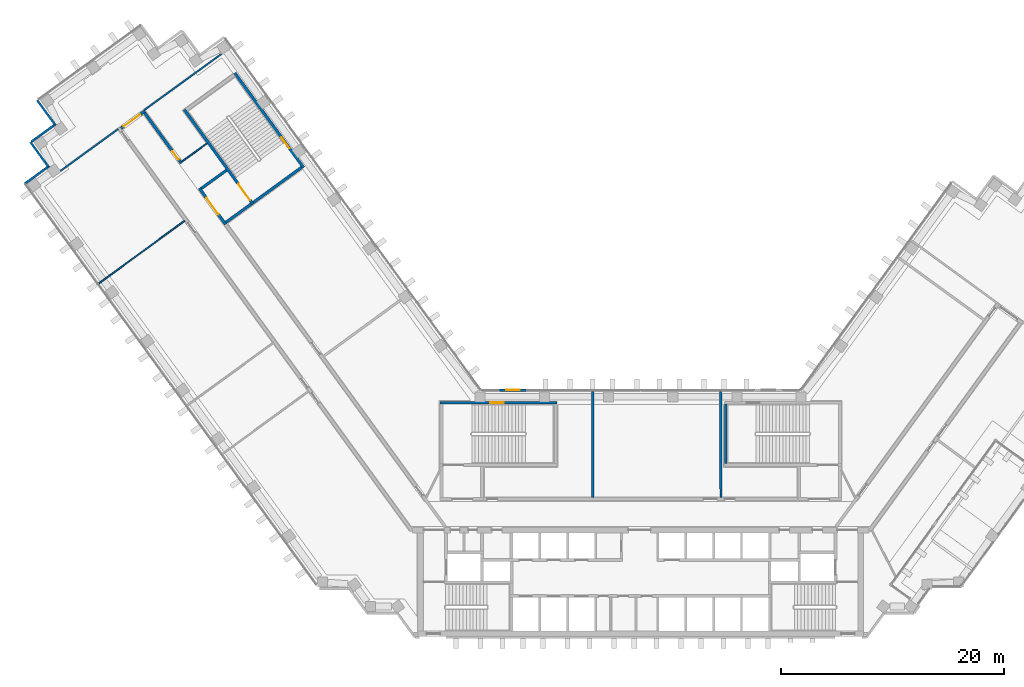
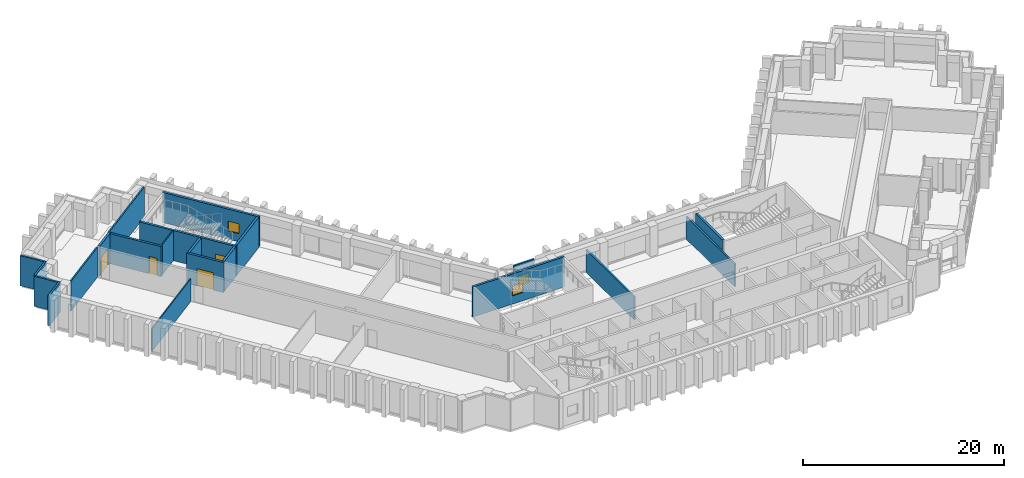
# One storey, part 8 of 14: 21 walls, 4 doors, 3 windows, 7 openings.
"""IFC4 building model written with IfcOpenShell, lengths in metres."""

from ifc_helpers import new_model, si_unit, direction, frame, frame_2d, origin, place, context, subcontext, project, spatial, rectangle, extrude, material, layer, layer_set, type_object, element, fill, save


model = new_model("IFC4")

# Units and contexts
model_context = context("Model", 3, precision=1e-05, world=origin(), true_north=direction((0.0, 1.0)))
body_context = subcontext(model_context, "Body", "Model", "MODEL_VIEW")
ifc_project = project(units=[si_unit("LENGTHUNIT", "METRE"), si_unit("AREAUNIT", "SQUARE_METRE"), si_unit("VOLUMEUNIT", "CUBIC_METRE"), si_unit("PLANEANGLEUNIT", "RADIAN"), si_unit("MASSUNIT", "GRAM", prefix="KILO")], contexts=[model_context])

# Site, building, storey
site_placement = place(None, origin())
site = spatial("IfcSite", under=ifc_project, at=site_placement, CompositionType="ELEMENT")
building_placement = place(site_placement, origin())
building = spatial("IfcBuilding", under=site, at=building_placement, Name="Quipu Civic Tower", CompositionType="ELEMENT")
storey_placement = place(building_placement, frame((0.0, 0.0, 105.0)))
storey = spatial("IfcBuildingStorey", under=building, at=storey_placement, Name="L24", CompositionType="ELEMENT", Elevation=105.0)

# Walls
ifc_material_1 = material(Name="Double gypsum plasterboard with mineral wool")
ifc_layer_1 = layer(ifc_material_1, 0.14990234375)
ifc_layer_set_1 = layer_set([ifc_layer_1], Name="Double gypsum plasterboard with mineral wool")
wall_type_1 = type_object("IfcWallType", Name="Acoustic partition 150 plasterboard", PredefinedType="PARTITIONING", material=ifc_layer_set_1)
wall_1_placement = place(storey_placement, frame((-37.614013671875, 41.2568359375, 0.0), z_axis=(0.0, 0.0, 1.0), x_axis=(-0.808991595707, -0.587820208972, 0.0)))
element("IfcWall", 1, at=wall_1_placement, inside=storey, type_object=wall_type_1, Name="Partition P07", PredefinedType="PARTITIONING", context=body_context, shape_type="SweptSolid", body=[
    extrude(rectangle(XDim=8.550537109375, YDim=0.14990234375, at=frame_2d((4.275390625, 0.0))), origin(), (0.0, 0.0, 1.0), 3.64990234375),
])
wall_2_placement = place(storey_placement, frame((-46.877197265625, 34.52587890625, 0.0), z_axis=(0.0, 0.0, 1.0), x_axis=(-0.808993566199, -0.587817497059, 0.0)))
element("IfcWall", 2, at=wall_2_placement, inside=storey, type_object=wall_type_1, Name="Partition P08", PredefinedType="PARTITIONING", context=body_context, shape_type="SweptSolid", body=[
    extrude(rectangle(XDim=6.39453125, YDim=0.14990234375, at=frame_2d((3.197265625, 0.0))), origin(), (0.0, 0.0, 1.0), 3.64990234375),
])
ifc_material_2 = material(Name="Fired clay blockwork", Category="masonry")
ifc_layer_2 = layer(ifc_material_2, 0.199951171875)
ifc_layer_set_2 = layer_set([ifc_layer_2], Name="Fired clay blockwork")
wall_type_2 = type_object("IfcWallType", Name="Blockwork wall 200", PredefinedType="SOLIDWALL", material=ifc_layer_set_2)
for number, where, z_axis, x_axis, name in (
    (3, (-4.299072265625, 11.0, 0.0), (0.0, 0.0, 1.0), (0.0, -1.0, 0.0), "Partition P04"),
    (4, (7.197998046875, 1.449951171875, 0.0), (0.0, 0.0, 1.0), (-0.002377476217, 0.999997173799, 0.0), "Partition P05"),
):
    element("IfcWall", number, at=place(storey_placement, frame(where, z_axis=z_axis, x_axis=x_axis)), inside=storey, type_object=wall_type_2, Name=name, PredefinedType="SOLIDWALL", context=body_context, shape_type="SweptSolid", body=[
        extrude(rectangle(XDim=9.550048828125, YDim=0.199951171875, at=frame_2d((4.77490234375, 0.0))), origin(), (0.0, 0.0, 1.0), 2.75),
    ])

# Wall, opening, window
ifc_material_3 = material(Name="Concrete C70/85", Category="concrete")
ifc_layer_3 = layer(ifc_material_3, 0.25)
ifc_layer_set_3 = layer_set([ifc_layer_3], Name="Concrete C70/85")
wall_type_3 = type_object("IfcWallType", Name="Core wall 250", PredefinedType="SHEAR", material=ifc_layer_set_3)
wall_3_placement = place(storey_placement, frame((-18.0, 9.97509765625, 0.0), z_axis=(0.0, 0.0, 1.0), x_axis=(1.0, 0.0, 0.0)))
wall_3 = element("IfcWall", 5, at=wall_3_placement, inside=storey, type_object=wall_type_3, Name="Core wall", PredefinedType="SHEAR", context=body_context, shape_type="SweptSolid", body=[
    extrude(rectangle(XDim=10.5, YDim=0.25, at=frame_2d((5.25, 0.0))), origin(), (0.0, 0.0, 1.0), 3.64990234375),
])
opening_1_placement = place(wall_3_placement, frame((4.5, 0.0, 1.0)))
opening_1 = element("IfcOpeningElement", 6, at=opening_1_placement, cuts=wall_3, Name="Opening SV-3", PredefinedType="OPENING", context=body_context, shape_type="SweptSolid", body=[
    extrude(rectangle(XDim=1.199951171875, YDim=1.199951171875, at=frame_2d((0.60009765625, 0.60009765625))), frame((0.0, 0.135009765625, 0.0), z_axis=(0.0, -1.0, 0.0), x_axis=(1.0, 0.0, 0.0)), (0.0, 0.0, 1.0), 0.27001953125),
])
ifc_material_4 = material(Name="Aluminium louvre", Category="aluminium")
window_type_1 = type_object("IfcWindowType", Name="Stair ventilation louvre 1200 x 1200", PartitioningType="SINGLE_PANEL", PredefinedType="WINDOW", material=ifc_material_4)
window_1_placement = place(opening_1_placement, origin())
window_1 = element("IfcWindow", 7, at=window_1_placement, inside=storey, type_object=window_type_1, Name="Stair ventilation opening", OverallHeight=1.199951171875, OverallWidth=1.199951171875, PartitioningType="SINGLE_PANEL", PredefinedType="WINDOW", context=body_context, shape_type="SweptSolid", body=[
    extrude(rectangle(XDim=1.199951171875, YDim=1.199951171875, at=frame_2d((0.60009765625, 0.60009765625))), frame((0.0, 0.030029296875, 0.0), z_axis=(0.0, -1.0, 0.0), x_axis=(1.0, 0.0, 0.0)), (0.0, 0.0, 1.0), 0.06005859375),
])
fill(opening_1, window_1)

# Wall
wall_4_placement = place(storey_placement, frame((7.625, 4.5, 0.0), z_axis=(0.0, 0.0, 1.0), x_axis=(0.0, 1.0, 0.0)))
element("IfcWall", 8, at=wall_4_placement, inside=storey, type_object=wall_type_3, Name="Core wall", PredefinedType="SHEAR", context=body_context, shape_type="SweptSolid", body=[
    extrude(rectangle(XDim=5.35009765625, YDim=0.25, at=frame_2d((2.675048828125, 0.0))), origin(), (0.0, 0.0, 1.0), 3.64990234375),
])

# Wall, opening, window
wall_5_placement = place(storey_placement, frame((-30.239501953125, 31.06396484375, 0.0), z_axis=(0.0, 0.0, 1.0), x_axis=(-0.587795589702, 0.809009483706, 0.0)))
wall_5 = element("IfcWall", 9, at=wall_5_placement, inside=storey, type_object=wall_type_3, Name="Core wall", PredefinedType="SHEAR", context=body_context, shape_type="SweptSolid", body=[
    extrude(rectangle(XDim=10.5, YDim=0.25, at=frame_2d((5.25, 0.0))), origin(), (0.0, 0.0, 1.0), 3.64990234375),
])
opening_2_placement = place(wall_5_placement, frame((2.14990234375, 0.0, 1.0)))
opening_2 = element("IfcOpeningElement", 10, at=opening_2_placement, cuts=wall_5, Name="Opening SV-6", PredefinedType="OPENING", context=body_context, shape_type="SweptSolid", body=[
    extrude(rectangle(XDim=1.199951171875, YDim=1.199951171875, at=frame_2d((0.60009765625, 0.60009765625))), frame((0.0, 0.135009765625, 0.0), z_axis=(0.0, -1.0, 0.0), x_axis=(1.0, 0.0, 0.0)), (0.0, 0.0, 1.0), 0.27001953125),
])
window_2_placement = place(opening_2_placement, origin())
window_2 = element("IfcWindow", 11, at=window_2_placement, inside=storey, type_object=window_type_1, Name="Stair ventilation opening", OverallHeight=1.199951171875, OverallWidth=1.199951171875, PartitioningType="SINGLE_PANEL", PredefinedType="WINDOW", context=body_context, shape_type="SweptSolid", body=[
    extrude(rectangle(XDim=1.199951171875, YDim=1.199951171875, at=frame_2d((0.60009765625, 0.60009765625))), frame((0.0, 0.030029296875, 0.0), z_axis=(0.0, -1.0, 0.0), x_axis=(1.0, 0.0, 0.0)), (0.0, 0.0, 1.0), 0.06005859375),
])
fill(opening_2, window_2)

# Wall
wall_6_placement = place(storey_placement, frame((-30.414306640625, 31.091796875, 0.0), z_axis=(0.0, 0.0, 1.0), x_axis=(-0.8089984606, -0.587810760999, 0.0)))
element("IfcWall", 12, at=wall_6_placement, inside=storey, type_object=wall_type_3, Name="Core wall", PredefinedType="SHEAR", context=body_context, shape_type="SweptSolid", body=[
    extrude(rectangle(XDim=5.35009765625, YDim=0.25, at=frame_2d((2.675048828125, 0.0))), origin(), (0.0, 0.0, 1.0), 3.64990234375),
])

# Wall, opening, door
wall_7_placement = place(storey_placement, frame((-40.94189453125, 36.26708984375, 0.0), z_axis=(0.0, 0.0, 1.0), x_axis=(0.587795589702, -0.809009483706, 0.0)))
wall_7 = element("IfcWall", 13, at=wall_7_placement, inside=storey, type_object=wall_type_3, Name="Core wall", PredefinedType="SHEAR", context=body_context, shape_type="SweptSolid", body=[
    extrude(rectangle(XDim=10.5, YDim=0.25, at=frame_2d((5.25, 0.0))), origin(), (0.0, 0.0, 1.0), 3.64990234375),
])
opening_3_placement = place(wall_7_placement, frame((8.25, 0.0, 0.0)))
opening_3 = element("IfcOpeningElement", 14, at=opening_3_placement, cuts=wall_7, Name="Opening CD-19", PredefinedType="OPENING", context=body_context, shape_type="SweptSolid", body=[
    extrude(rectangle(XDim=1.800048828125, YDim=2.10009765625, at=frame_2d((0.89990234375, 1.050048828125))), frame((0.0, 0.135009765625, 0.0), z_axis=(0.0, -1.0, 0.0), x_axis=(1.0, 0.0, 0.0)), (0.0, 0.0, 1.0), 0.27001953125),
])
ifc_material_5 = material(Name="Fire rated steel door", Category="steel")
door_type_1 = type_object("IfcDoorType", Name="Fire door FD90 double 1800 x 2100", OperationType="NOTDEFINED", PredefinedType="DOOR", material=ifc_material_5)
door_1_placement = place(opening_3_placement, origin())
door_1 = element("IfcDoor", 15, at=door_1_placement, inside=storey, type_object=door_type_1, Name="Door", OperationType="DOUBLE_DOOR_SINGLE_SWING", OverallHeight=2.10009765625, OverallWidth=1.800048828125, PredefinedType="DOOR", context=body_context, shape_type="SweptSolid", body=[
    extrude(rectangle(XDim=1.800048828125, YDim=2.10009765625, at=frame_2d((0.89990234375, 1.050048828125))), frame((0.0, 0.02490234375, 0.0), z_axis=(0.0, -1.0, 0.0), x_axis=(1.0, 0.0, 0.0)), (0.0, 0.0, 1.0), 0.050048828125),
])
fill(opening_3, door_1)

# Walls
for number, where, z_axis, x_axis, name in (
    (16, (-34.944580078125, 27.800048828125, 0.0), (0.0, 0.0, 1.0), (-0.809041377956, -0.587751689708, 0.0), "Core wall"),
    (17, (-37.14892578125, 30.833984375, 0.0), (0.0, 0.0, 1.0), (-0.808969789945, -0.58785021813, 0.0), "Core wall"),
):
    element("IfcWall", number, at=place(storey_placement, frame(where, z_axis=z_axis, x_axis=x_axis)), inside=storey, type_object=wall_type_3, Name=name, PredefinedType="SHEAR", context=body_context, shape_type="SweptSolid", body=[
        extrude(rectangle(XDim=2.800048828125, YDim=0.25, at=frame_2d((1.39990234375, 0.0))), origin(), (0.0, 0.0, 1.0), 3.64990234375),
    ])

# Wall, opening, door
wall_8_placement = place(storey_placement, frame((-39.588623046875, 29.2158203125, 0.0), z_axis=(0.0, 0.0, 1.0), x_axis=(0.587772420479, -0.809026317077, 0.0)))
wall_8 = element("IfcWall", 18, at=wall_8_placement, inside=storey, type_object=wall_type_3, Name="Core wall", PredefinedType="SHEAR", context=body_context, shape_type="SweptSolid", body=[
    extrude(rectangle(XDim=4.0, YDim=0.25, at=frame_2d((2.0, 0.0))), origin(), (0.0, 0.0, 1.0), 3.64990234375),
])
opening_4_placement = place(wall_8_placement, frame((1.10009765625, 0.0, 0.0)))
opening_4 = element("IfcOpeningElement", 19, at=opening_4_placement, cuts=wall_8, Name="Opening CD-20", PredefinedType="OPENING", context=body_context, shape_type="SweptSolid", body=[
    extrude(rectangle(XDim=1.800048828125, YDim=2.10009765625, at=frame_2d((0.89990234375, 1.050048828125))), frame((0.0, 0.135009765625, 0.0), z_axis=(0.0, -1.0, 0.0), x_axis=(1.0, 0.0, 0.0)), (0.0, 0.0, 1.0), 0.27001953125),
])
door_2_placement = place(opening_4_placement, origin())
door_2 = element("IfcDoor", 20, at=door_2_placement, inside=storey, type_object=door_type_1, Name="Lobby door", OperationType="DOUBLE_DOOR_SINGLE_SWING", OverallHeight=2.10009765625, OverallWidth=1.800048828125, PredefinedType="DOOR", context=body_context, shape_type="SweptSolid", body=[
    extrude(rectangle(XDim=1.800048828125, YDim=2.10009765625, at=frame_2d((0.89990234375, 1.050048828125))), frame((0.0, 0.02490234375, 0.0), z_axis=(0.0, -1.0, 0.0), x_axis=(1.0, 0.0, 0.0)), (0.0, 0.0, 1.0), 0.050048828125),
])
fill(opening_4, door_2)

ifc_material_6 = material(Name="Concrete C50/60", Category="concrete")
ifc_layer_4 = layer(ifc_material_6, 0.25)
ifc_layer_set_4 = layer_set([ifc_layer_4], Name="Concrete C50/60")
wall_type_4 = type_object("IfcWallType", Name="Corridor wall 250 concrete", PredefinedType="SOLIDWALL", material=ifc_layer_set_4)
wall_9_placement = place(storey_placement, frame((-46.613037109375, 34.587890625, 0.0), z_axis=(0.0, 0.0, 1.0), x_axis=(0.808994936898, 0.587815610607, 0.0)))
wall_9 = element("IfcWall", 21, at=wall_9_placement, inside=storey, type_object=wall_type_4, Name="Corridor wall C02", PredefinedType="SOLIDWALL", context=body_context, shape_type="SweptSolid", body=[
    extrude(rectangle(XDim=2.650146484375, YDim=0.25, at=frame_2d((1.3251953125, 0.0))), origin(), (0.0, 0.0, 1.0), 3.64990234375),
])
opening_5_placement = place(wall_9_placement, frame((0.29931640625, 0.0, 0.0)))
opening_5 = element("IfcOpeningElement", 22, at=opening_5_placement, cuts=wall_9, Name="Opening D016", PredefinedType="OPENING", context=body_context, shape_type="SweptSolid", body=[
    extrude(rectangle(XDim=1.800048828125, YDim=2.10009765625, at=frame_2d((0.89990234375, 1.050048828125))), frame((0.0, 0.135009765625, 0.0), z_axis=(0.0, -1.0, 0.0), x_axis=(1.0, 0.0, 0.0)), (0.0, 0.0, 1.0), 0.27001953125),
])
ifc_material_7 = material(Name="Fire rated timber door set with metal frame", Category="wood")
door_type_2 = type_object("IfcDoorType", Name="Double door 1800 x 2100 FD60", OperationType="DOUBLE_DOOR_SINGLE_SWING", PredefinedType="DOOR", material=ifc_material_7)
door_3_placement = place(opening_5_placement, origin())
door_3 = element("IfcDoor", 23, at=door_3_placement, inside=storey, type_object=door_type_2, Name="Door D016", OperationType="DOUBLE_DOOR_SINGLE_SWING", OverallHeight=2.10009765625, OverallWidth=1.800048828125, PredefinedType="DOOR", context=body_context, shape_type="SweptSolid", body=[
    extrude(rectangle(XDim=1.800048828125, YDim=2.10009765625, at=frame_2d((0.89990234375, 1.050048828125))), frame((0.0, 0.02490234375, 0.0), z_axis=(0.0, -1.0, 0.0), x_axis=(1.0, 0.0, 0.0)), (0.0, 0.0, 1.0), 0.050048828125),
])
fill(opening_5, door_3)

wall_10_placement = place(storey_placement, frame((-44.49658203125, 35.97119140625, 0.0), z_axis=(0.0, 0.0, 1.0), x_axis=(0.587742866856, -0.809047787501, 0.0)))
wall_10 = element("IfcWall", 24, at=wall_10_placement, inside=storey, type_object=wall_type_4, Name="Corridor wall C03", PredefinedType="SOLIDWALL", context=body_context, shape_type="SweptSolid", body=[
    extrude(rectangle(XDim=5.58642578125, YDim=0.25, at=frame_2d((2.793212890625, 0.0))), origin(), (0.0, 0.0, 1.0), 3.64990234375),
])
opening_6_placement = place(wall_10_placement, frame((4.2451171875, 0.0, 0.0)))
opening_6 = element("IfcOpeningElement", 25, at=opening_6_placement, cuts=wall_10, Name="Opening D009", PredefinedType="OPENING", context=body_context, shape_type="SweptSolid", body=[
    extrude(rectangle(XDim=0.89990234375, YDim=2.10009765625, at=frame_2d((0.449951171875, 1.050048828125))), frame((0.0, 0.135009765625, 0.0), z_axis=(0.0, -1.0, 0.0), x_axis=(1.0, 0.0, 0.0)), (0.0, 0.0, 1.0), 0.27001953125),
])
ifc_material_8 = material(Name="Fire rated timber door set with metal frame", Category="wood")
door_type_3 = type_object("IfcDoorType", Name="Single door 900 x 2100 FD60", OperationType="NOTDEFINED", PredefinedType="DOOR", material=ifc_material_8)
door_4_placement = place(opening_6_placement, origin())
door_4 = element("IfcDoor", 26, at=door_4_placement, inside=storey, type_object=door_type_3, Name="Door D009", OperationType="SINGLE_SWING_RIGHT", OverallHeight=2.10009765625, OverallWidth=0.89990234375, PredefinedType="DOOR", context=body_context, shape_type="SweptSolid", body=[
    extrude(rectangle(XDim=0.89990234375, YDim=2.10009765625, at=frame_2d((0.449951171875, 1.050048828125))), frame((0.0, 0.02490234375, 0.0), z_axis=(0.0, -1.0, 0.0), x_axis=(1.0, 0.0, 0.0)), (0.0, 0.0, 1.0), 0.050048828125),
])
fill(opening_6, door_4)

# Walls
ifc_material_9 = material(Name="Gypsum plasterboard on light gauge framing")
ifc_layer_5 = layer(ifc_material_9, 0.1201171875)
ifc_layer_set_5 = layer_set([ifc_layer_5], Name="Gypsum plasterboard on light gauge framing")
wall_type_5 = type_object("IfcWallType", Name="Partition 120 plasterboard", PredefinedType="PARTITIONING", material=ifc_layer_set_5)
wall_11_placement = place(storey_placement, frame((-48.615478515625, 20.67138671875, 0.0), z_axis=(0.0, 0.0, 1.0), x_axis=(0.807691251741, 0.589605666408, 0.0)))
element("IfcWall", 27, at=wall_11_placement, inside=storey, type_object=wall_type_5, Name="Partition P09", PredefinedType="PARTITIONING", context=body_context, shape_type="SweptSolid", body=[
    extrude(rectangle(XDim=9.55029296875, YDim=0.1201171875, at=frame_2d((4.775146484375, 0.0))), origin(), (0.0, 0.0, 1.0), 2.75),
])
wall_12_placement = place(storey_placement, frame((-41.166015625, 31.59912109375, 0.0), z_axis=(0.0, 0.0, 1.0), x_axis=(0.809090262332, 0.587684394381, 0.0)))
element("IfcWall", 28, at=wall_12_placement, inside=storey, type_object=wall_type_5, Name="Partition P14", PredefinedType="PARTITIONING", context=body_context, shape_type="SweptSolid", body=[
    extrude(rectangle(XDim=2.80078125, YDim=0.1201171875, at=frame_2d((1.400390625, 0.0))), origin(), (0.0, 0.0, 1.0), 3.64990234375),
])
ifc_material_10 = material(Name="Precast concrete C40/50", Category="concrete")
wall_type_6 = type_object("IfcWallType", Name="Precast cladding wall", PredefinedType="SOLIDWALL", material=ifc_material_10)
for number, where, z_axis, x_axis, name in (
    (29, (-54.140380859375, 37.12255859375, 0.0), (0.0, 0.0, 1.0), (0.587822180636, -0.808990163075, 0.0), "Precast cladding wall L24 P07"),
    (30, (-52.46533203125, 34.9873046875, 0.0), (0.0, 0.0, 1.0), (-0.809033161865, -0.587762999008, 0.0), "Precast cladding wall L24 P08"),
):
    element("IfcWall", number, at=place(storey_placement, frame(where, z_axis=z_axis, x_axis=x_axis)), inside=storey, type_object=wall_type_6, Name=name, PredefinedType="SOLIDWALL", context=body_context, shape_type="SweptSolid", body=[
        extrude(rectangle(XDim=2.699951171875, YDim=0.199951171875, at=frame_2d((1.35009765625, 0.0))), origin(), (0.0, 0.0, 1.0), 3.64990234375),
    ])
wall_13_placement = place(storey_placement, frame((-54.73779296875, 33.351318359375, 0.0), z_axis=(0.0, 0.0, 1.0), x_axis=(0.587779184282, -0.809021403008, 0.0)))
element("IfcWall", 31, at=wall_13_placement, inside=storey, type_object=wall_type_6, Name="Precast cladding wall L24 P09", PredefinedType="SOLIDWALL", context=body_context, shape_type="SweptSolid", body=[
    extrude(rectangle(XDim=2.7001953125, YDim=0.199951171875, at=frame_2d((1.35009765625, 0.0))), origin(), (0.0, 0.0, 1.0), 3.64990234375),
])
wall_14_placement = place(storey_placement, frame((-53.062744140625, 31.2158203125, 0.0), z_axis=(0.0, 0.0, 1.0), x_axis=(-0.809033161865, -0.587762999008, 0.0)))
element("IfcWall", 32, at=wall_14_placement, inside=storey, type_object=wall_type_6, Name="Precast cladding wall L24 P10", PredefinedType="SOLIDWALL", context=body_context, shape_type="SweptSolid", body=[
    extrude(rectangle(XDim=2.699951171875, YDim=0.199951171875, at=frame_2d((1.35009765625, 0.0))), origin(), (0.0, 0.0, 1.0), 3.64990234375),
])

# Wall, opening, window
wall_15_placement = place(storey_placement, frame((-10.263427734375, 11.10009765625, 0.0), z_axis=(0.0, 0.0, 1.0), x_axis=(-1.0, 0.0, 0.0)))
wall_15 = element("IfcWall", 33, at=wall_15_placement, inside=storey, type_object=wall_type_6, Name="Vent surround SF-L22-1", PredefinedType="SOLIDWALL", context=body_context, shape_type="SweptSolid", body=[
    extrude(rectangle(XDim=2.3916015625, YDim=0.199951171875, at=frame_2d((1.19580078125, 0.0))), origin(), (0.0, 0.0, 1.0), 3.64990234375),
])
opening_7_placement = place(wall_15_placement, frame((0.595703125, 0.0, 1.0)))
opening_7 = element("IfcOpeningElement", 34, at=opening_7_placement, cuts=wall_15, Name="Opening SF-L22-1", PredefinedType="OPENING", context=body_context, shape_type="SweptSolid", body=[
    extrude(rectangle(XDim=1.199951171875, YDim=1.199951171875, at=frame_2d((0.60009765625, 0.60009765625))), frame((0.0, 0.10986328125, 0.0), z_axis=(0.0, -1.0, 0.0), x_axis=(1.0, 0.0, 0.0)), (0.0, 0.0, 1.0), 0.219970703125),
])
ifc_material_11 = material(Name="Anodised aluminium louvre", Category="aluminium")
window_type_2 = type_object("IfcWindowType", Name="Stair vent louvre window P3", PartitioningType="SINGLE_PANEL", PredefinedType="WINDOW", material=ifc_material_11)
window_3_placement = place(opening_7_placement, origin())
window_3 = element("IfcWindow", 35, at=window_3_placement, inside=storey, type_object=window_type_2, Name="Stair vent louvre SF-L22-1", OverallHeight=1.199951171875, OverallWidth=1.199951171875, PartitioningType="SINGLE_PANEL", PredefinedType="WINDOW", context=body_context, shape_type="SweptSolid", body=[
    extrude(rectangle(XDim=1.199951171875, YDim=1.199951171875, at=frame_2d((0.60009765625, 0.60009765625))), frame((0.0, 0.030029296875, 0.0), z_axis=(0.0, -1.0, 0.0), x_axis=(1.0, 0.0, 0.0)), (0.0, 0.0, 1.0), 0.06005859375),
])
fill(opening_7, window_3)

save(model, "model.ifc")
